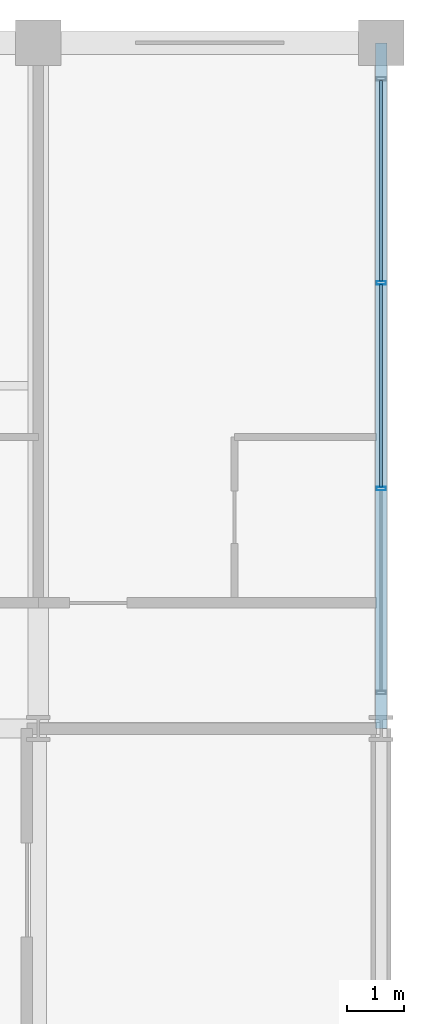
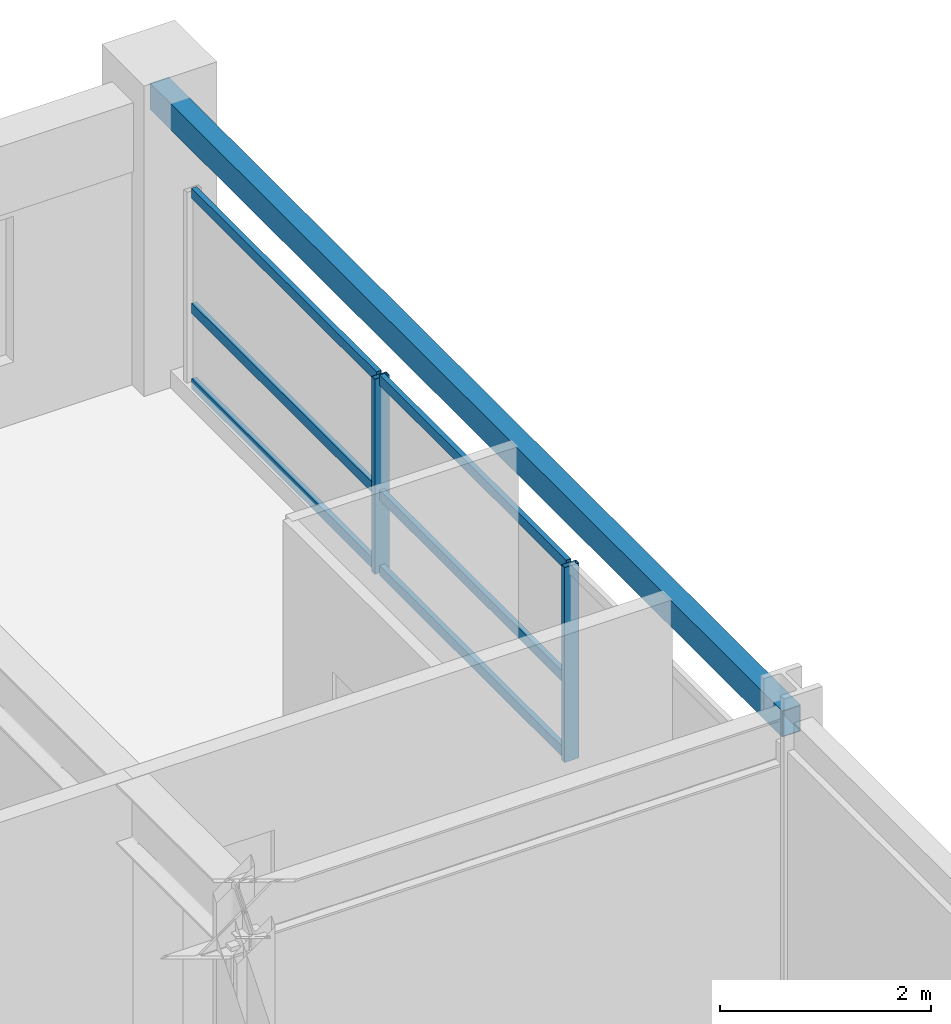
# One storey, part 16 of 26: 8 members, 1 beam, 1 element without a shape of its own.
"""IFC4 building model written with IfcOpenShell, lengths in metres."""

from ifc_helpers import new_model, si_unit, direction, frame, origin, origin_2d, place, context, subcontext, project, spatial, hollow_rectangle, extrude, material, material_profile, profile_set, type_object, element, aggregate, save


model = new_model("IFC4")

# Units and contexts
model_context = context("Model", 3, precision=1e-05, world=origin(), true_north=direction((0.0, 1.0)))
body_context = subcontext(model_context, "Body", "Model", "MODEL_VIEW")
ifc_project = project(units=[si_unit("LENGTHUNIT", "METRE"), si_unit("AREAUNIT", "SQUARE_METRE"), si_unit("VOLUMEUNIT", "CUBIC_METRE"), si_unit("PLANEANGLEUNIT", "RADIAN"), si_unit("MASSUNIT", "GRAM", prefix="KILO")], contexts=[model_context])

# Site, building, storey
site_placement = place(None, origin())
site = spatial("IfcSite", under=ifc_project, at=site_placement, CompositionType="ELEMENT")
building_placement = place(site_placement, origin())
building = spatial("IfcBuilding", under=site, at=building_placement, Name="Kaldorvane Square Convention Centre", CompositionType="ELEMENT")
storey_placement = place(building_placement, frame((0.0, 0.0, 42.0)))
storey = spatial("IfcBuildingStorey", under=building, at=storey_placement, Name="L09", CompositionType="ELEMENT", Elevation=42.0)

# Beam
ifc_material_1 = material(Name="Steel ASTM A500 Gr. C", Category="steel")
ifc_material_profile_1 = material_profile(ifc_material_1, hollow_rectangle(XDim=0.2032012939453125, YDim=0.3047943115234375, WallThickness=0.0088958740234375, at=origin_2d()), Name="HSS12X8X3/8")
ifc_profile_set_1 = profile_set([ifc_material_profile_1], Name="Steel ASTM A500 Gr. C")
beam_type = type_object("IfcBeamType", Name="BM-SP-HSS12", PredefinedType="SPANDREL", material=ifc_profile_set_1)
beam_placement = place(storey_placement, frame((84.0, 105.0, 3.13360595703125), z_axis=(0.0, 1.0, 0.0), x_axis=(-1.0, 0.0, 0.0)))
element("IfcBeam", 1, at=beam_placement, inside=storey, type_object=beam_type, Name="End Spandrel (L09)", PredefinedType="SPANDREL", context=body_context, shape_type="SweptSolid", body=[
    extrude(hollow_rectangle(XDim=0.2032012939453125, YDim=0.3047943115234375, WallThickness=0.0088958740234375, at=origin_2d()), origin(), (0.0, 0.0, 1.0), 12.0),
])

# Curtain wall, members
ifc_material_2 = material(Name="Anodized Aluminum and Low-E Insulated Glazing", Category="aluminium")
curtain_wall_type = type_object("IfcCurtainWallType", Name="CW-UNI-HTL-A", PredefinedType="USERDEFINED", material=ifc_material_2)
curtain_wall_placement = place(storey_placement, origin())
curtain_wall = element("IfcCurtainWall", 2, at=curtain_wall_placement, inside=storey, type_object=curtain_wall_type, Name="Curtain Wall CW-10 (L09)", ObjectType="UNITISED GLAZING", PredefinedType="USERDEFINED")
ifc_material_profile_2 = material_profile(ifc_material_2, hollow_rectangle(XDim=0.05999755859375, YDim=0.160003662109375, WallThickness=0.003204345703125, at=origin_2d()), Name="CWM-160X60")
ifc_profile_set_2 = profile_set([ifc_material_profile_2], Name="Anodized Aluminum and Low-E Insulated Glazing")
member_type_1 = type_object("IfcMemberType", Name="CW-MUL-160", PredefinedType="MULLION", material=ifc_profile_set_2)
member_1_placement = place(storey_placement, frame((84.0, 109.19999694824219, 0.149993896484375), z_axis=(0.0, 0.0, 1.0), x_axis=(0.0, 1.0, 0.0)))
member_1 = element("IfcMember", 3, at=member_1_placement, type_object=member_type_1, Name="CW-10 mullion 2", PredefinedType="MULLION", context=body_context, shape_type="SweptSolid", body=[
    extrude(hollow_rectangle(XDim=0.05999755859375, YDim=0.160003662109375, WallThickness=0.003204345703125, at=origin_2d()), origin(), (0.0, 0.0, 1.0), 2.260009765625),
])
member_2_placement = place(storey_placement, frame((84.0, 112.80000305175781, 0.149993896484375), z_axis=(0.0, 0.0, 1.0), x_axis=(0.0, 1.0, 0.0)))
member_2 = element("IfcMember", 4, at=member_2_placement, type_object=member_type_1, Name="CW-10 mullion 3", PredefinedType="MULLION", context=body_context, shape_type="SweptSolid", body=[
    extrude(hollow_rectangle(XDim=0.05999755859375, YDim=0.160003662109375, WallThickness=0.003204345703125, at=origin_2d()), origin(), (0.0, 0.0, 1.0), 2.260009765625),
])
ifc_material_profile_3 = material_profile(ifc_material_2, hollow_rectangle(XDim=0.05499267578125, YDim=0.1199951171875, WallThickness=0.0030059814453125, at=origin_2d()), Name="CWT-120X55")
ifc_profile_set_3 = profile_set([ifc_material_profile_3], Name="Anodized Aluminum and Low-E Insulated Glazing")
member_type_2 = type_object("IfcMemberType", Name="CW-TRN-120", PredefinedType="USERDEFINED", material=ifc_profile_set_3)
member_3_placement = place(storey_placement, frame((84.0, 109.22999572753906, 0.1775054931640625), z_axis=(0.0, 1.0, 0.0), x_axis=(-1.0, 0.0, 0.0)))
member_3 = element("IfcMember", 5, at=member_3_placement, type_object=member_type_2, Name="CW-10 transom 2.1", ObjectType="TRANSOM", PredefinedType="USERDEFINED", context=body_context, shape_type="SweptSolid", body=[
    extrude(hollow_rectangle(XDim=0.05499267578125, YDim=0.1199951171875, WallThickness=0.0030059814453125, at=origin_2d()), origin(), (0.0, 0.0, 1.0), 3.540008544921875),
])
member_4_placement = place(storey_placement, frame((84.0, 109.22999572753906, 1.0500030517578125), z_axis=(0.0, 1.0, 0.0), x_axis=(-1.0, 0.0, 0.0)))
member_4 = element("IfcMember", 6, at=member_4_placement, type_object=member_type_2, Name="CW-10 transom 2.2", ObjectType="TRANSOM", PredefinedType="USERDEFINED", context=body_context, shape_type="SweptSolid", body=[
    extrude(hollow_rectangle(XDim=0.05499267578125, YDim=0.1199951171875, WallThickness=0.0030059814453125, at=origin_2d()), origin(), (0.0, 0.0, 1.0), 3.540008544921875),
])
member_5_placement = place(storey_placement, frame((84.0, 109.22999572753906, 2.38250732421875), z_axis=(0.0, 1.0, 0.0), x_axis=(-1.0, 0.0, 0.0)))
member_5 = element("IfcMember", 7, at=member_5_placement, type_object=member_type_2, Name="CW-10 transom 2.3", ObjectType="TRANSOM", PredefinedType="USERDEFINED", context=body_context, shape_type="SweptSolid", body=[
    extrude(hollow_rectangle(XDim=0.05499267578125, YDim=0.1199951171875, WallThickness=0.0030059814453125, at=origin_2d()), origin(), (0.0, 0.0, 1.0), 3.540008544921875),
])
member_6_placement = place(storey_placement, frame((84.0, 112.83000183105469, 0.1775054931640625), z_axis=(0.0, 1.0, 0.0), x_axis=(-1.0, 0.0, 0.0)))
member_6 = element("IfcMember", 8, at=member_6_placement, type_object=member_type_2, Name="CW-10 transom 3.1", ObjectType="TRANSOM", PredefinedType="USERDEFINED", context=body_context, shape_type="SweptSolid", body=[
    extrude(hollow_rectangle(XDim=0.05499267578125, YDim=0.1199951171875, WallThickness=0.0030059814453125, at=origin_2d()), origin(), (0.0, 0.0, 1.0), 3.5099945068359375),
])
member_7_placement = place(storey_placement, frame((84.0, 112.83000183105469, 1.0500030517578125), z_axis=(0.0, 1.0, 0.0), x_axis=(-1.0, 0.0, 0.0)))
member_7 = element("IfcMember", 9, at=member_7_placement, type_object=member_type_2, Name="CW-10 transom 3.2", ObjectType="TRANSOM", PredefinedType="USERDEFINED", context=body_context, shape_type="SweptSolid", body=[
    extrude(hollow_rectangle(XDim=0.05499267578125, YDim=0.1199951171875, WallThickness=0.0030059814453125, at=origin_2d()), origin(), (0.0, 0.0, 1.0), 3.5099945068359375),
])
member_8_placement = place(storey_placement, frame((84.0, 112.83000183105469, 2.38250732421875), z_axis=(0.0, 1.0, 0.0), x_axis=(-1.0, 0.0, 0.0)))
member_8 = element("IfcMember", 10, at=member_8_placement, type_object=member_type_2, Name="CW-10 transom 3.3", ObjectType="TRANSOM", PredefinedType="USERDEFINED", context=body_context, shape_type="SweptSolid", body=[
    extrude(hollow_rectangle(XDim=0.05499267578125, YDim=0.1199951171875, WallThickness=0.0030059814453125, at=origin_2d()), origin(), (0.0, 0.0, 1.0), 3.5099945068359375),
])
aggregate(curtain_wall, [member_1, member_2, member_3, member_4, member_5, member_6, member_7, member_8])

save(model, "model.ifc")
